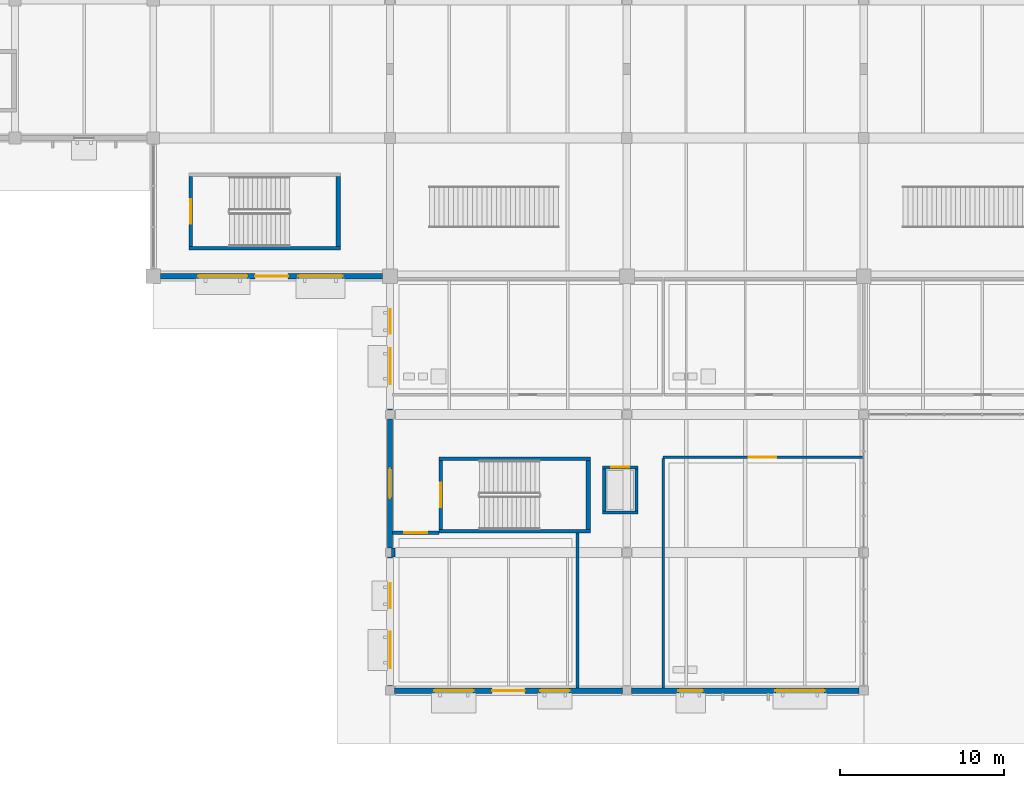
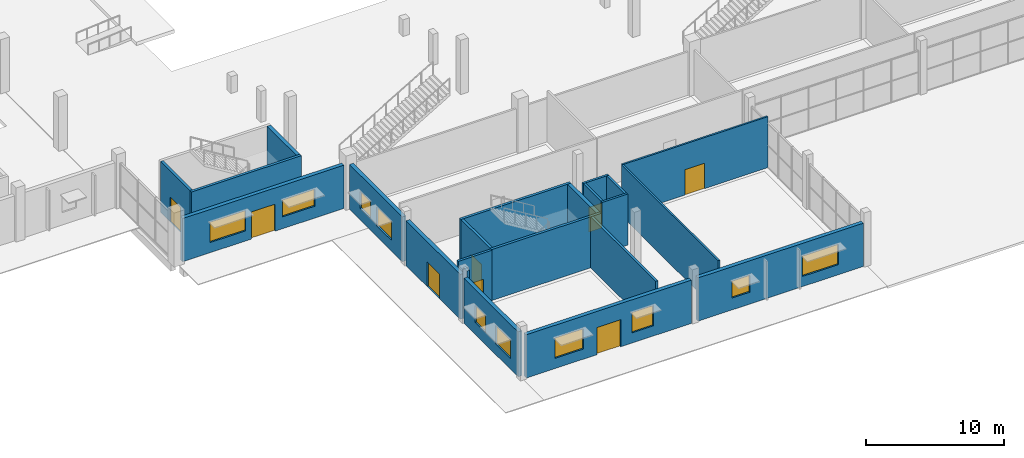
# One storey, part 90 of 130: 22 walls, 10 windows, 8 doors, 18 openings.
"""IFC4 building model written with IfcOpenShell, lengths in metres."""

import ifcopenshell
import ifcopenshell.guid

model = None  # the IFC model being written
_history = None  # IfcOwnerHistory: only IFC2X3 demands one
_inside = {}  # id of a spatial element -> (the spatial element, [elements in it])
_under = {}  # id of a project, library or spatial element -> (it, [spatial elements below it])
_declared = {}  # id of a project -> (the project, [libraries it declares])
_typed = {}  # id of a type object -> (the type object, [elements of that type])
_made_of = {}  # id of a material, layer set ... -> (it, [elements and type objects made of it])


def new_model(schema):
    """Start an empty IFC model of exactly this schema.

    Asked for "IFC4X3", IfcOpenShell would pick the latest addendum, in which some entities
    have other attributes; the version numbers below select the first issue.
    IFC2X3 requires an IfcOwnerHistory on every rooted entity: one is made here for all.
    """
    global model, _history
    if schema == "IFC4X3":
        model = ifcopenshell.file(schema_version=(4, 3, 0, 0))
    else:
        model = ifcopenshell.file(schema=schema)
    _inside.clear()
    _under.clear()
    _declared.clear()
    _typed.clear()
    _made_of.clear()
    _history = None
    if model.schema == "IFC2X3":
        org = make("IfcOrganization", Name="unknown")
        user = make(
            "IfcPersonAndOrganization",
            ThePerson=make("IfcPerson", FamilyName="unknown"),
            TheOrganization=org,
        )
        app = make(
            "IfcApplication",
            ApplicationDeveloper=org,
            Version="unknown",
            ApplicationFullName="unknown",
            ApplicationIdentifier="unknown",
        )
        _history = make(
            "IfcOwnerHistory",
            OwningUser=user,
            OwningApplication=app,
            ChangeAction="ADDED",
            CreationDate=0,
        )
    return model


def make(cls, **values):
    """One entity of the class cls with the attributes given. An attribute that is None is left unset."""
    return model.create_entity(
        cls, **{name: value for name, value in values.items() if value is not None}
    )


def rooted(cls, **values):
    """An entity with a GlobalId (a new one), such as an element, a storey or a relation."""
    return make(cls, GlobalId=ifcopenshell.guid.new(), OwnerHistory=_history, **values)


def si_unit(unit_type, name, prefix=None):
    """IfcSIUnit, for example si_unit("LENGTHUNIT", "METRE", prefix="MILLI")."""
    return make("IfcSIUnit", UnitType=unit_type, Prefix=prefix, Name=name)


def assignment(units):
    """IfcUnitAssignment: the units of a project."""
    return None if units is None else make("IfcUnitAssignment", Units=units)


def point(xyz):
    """IfcCartesianPoint."""
    return None if xyz is None else make("IfcCartesianPoint", Coordinates=xyz)


def direction(xyz):
    """IfcDirection."""
    return None if xyz is None else make("IfcDirection", DirectionRatios=xyz)


def frame(location, z_axis=None, x_axis=None):
    """IfcAxis2Placement3D, a coordinate frame: its origin and axes. An axis left out is left unset."""
    return make(
        "IfcAxis2Placement3D",
        Location=point(location),
        Axis=direction(z_axis),
        RefDirection=direction(x_axis),
    )


def frame_2d(location, x_axis=None):
    """IfcAxis2Placement2D, a coordinate frame in the plane: its origin and x axis."""
    return make(
        "IfcAxis2Placement2D", Location=point(location), RefDirection=direction(x_axis)
    )


def origin():
    """The frame at (0, 0, 0) with its axes left unset."""
    return frame((0.0, 0.0, 0.0))


def place(relative_to, where):
    """IfcLocalPlacement: puts the frame where relative to a parent placement (None: the world)."""
    return make(
        "IfcLocalPlacement", PlacementRelTo=relative_to, RelativePlacement=where
    )


def context(
    kind, dimensions, precision=None, world=None, true_north=None, identifier=None
):
    """IfcGeometricRepresentationContext, for example the 3D "Model" context."""
    return make(
        "IfcGeometricRepresentationContext",
        ContextIdentifier=identifier,
        ContextType=kind,
        CoordinateSpaceDimension=dimensions,
        Precision=precision,
        WorldCoordinateSystem=world,
        TrueNorth=true_north,
    )


def subcontext(parent, identifier, kind, view, scale=None):
    """IfcGeometricRepresentationSubContext, for example "Body" below "Model"."""
    return make(
        "IfcGeometricRepresentationSubContext",
        ContextIdentifier=identifier,
        ContextType=kind,
        ParentContext=parent,
        TargetScale=scale,
        TargetView=view,
    )


def project(units=None, contexts=None):
    """IfcProject with its units and contexts."""
    return rooted(
        "IfcProject",
        Name="project",
        RepresentationContexts=contexts,
        UnitsInContext=assignment(units),
    )


def spatial(cls, under=None, at=None, **own):
    """A site, building, storey or space (cls), placed at a placement, below another one or the project."""
    s = rooted(cls, ObjectPlacement=at, **own)
    if under is not None:
        _under.setdefault(under.id(), (under, []))[1].append(s)
    return s


def profile(cls, at=None, kind="AREA", **sizes):
    """A parametric profile (cls). Its sizes go by their IFC names, for example OverallWidth=200.0."""
    return make(cls, ProfileType=kind, Position=at, **sizes)


def rectangle(**sizes):
    """IfcRectangleProfileDef."""
    return profile("IfcRectangleProfileDef", **sizes)


def extrude(swept, where, along, depth):
    """IfcExtrudedAreaSolid: the profile swept, set in the frame where, extruded along a direction by depth."""
    return make(
        "IfcExtrudedAreaSolid",
        SweptArea=swept,
        Position=where,
        ExtrudedDirection=direction(along),
        Depth=depth,
    )


def shape(context_of_items, identifier, shape_type, items):
    """IfcShapeRepresentation: the items that make up one representation, for example the "Body"."""
    return make(
        "IfcShapeRepresentation",
        ContextOfItems=context_of_items,
        RepresentationIdentifier=identifier,
        RepresentationType=shape_type,
        Items=items,
    )


def material(Name=None, Category=None):
    """IfcMaterial."""
    return make("IfcMaterial", Name=Name, Category=Category)


def layer(
    of_material, thickness, ventilated=None, Name=None, Category=None, Priority=None
):
    """IfcMaterialLayer: one layer of a wall or slab, of a material (None: an air gap)."""
    return make(
        "IfcMaterialLayer",
        Material=of_material,
        LayerThickness=thickness,
        IsVentilated=ventilated,
        Name=Name,
        Category=Category,
        Priority=Priority,
    )


def layer_set(layers, Name=None):
    """IfcMaterialLayerSet."""
    return make("IfcMaterialLayerSet", MaterialLayers=layers, LayerSetName=Name)


def made_of(thing, what):
    """Note that an element or type object is made of a material, layer set ...; save() writes the relation."""
    if what is not None:
        _made_of.setdefault(what.id(), (what, []))[1].append(thing)
    return thing


def type_object(cls, material=None, **own):
    """A type object (cls), such as IfcWallType, which elements share."""
    return made_of(rooted(cls, **own), material)


def element(
    cls,
    number,
    at=None,
    inside=None,
    cuts=None,
    type_object=None,
    material=None,
    context=None,
    identifier="Body",
    shape_type=None,
    held_by="IfcProductDefinitionShape",
    body=None,
    shapes=None,
    **own,
):
    """One element of the class cls, such as IfcWall. Its Tag is "e" and its number.

    at: its placement. inside: the storey or other place that contains it. cuts: it is an
    opening in that element (IfcRelVoidsElement). A single representation is given by context,
    identifier, shape_type and body (its items); several are given by shapes. held_by: the class
    of the entity that holds the representations. save() writes the other relations.
    """
    e = rooted(cls, Tag="e%d" % number, ObjectPlacement=at, **own)
    if body is not None:
        shapes = [shape(context, identifier, shape_type, body)]
    if shapes is not None:
        e.Representation = make(held_by, Representations=shapes)
    if inside is not None:
        _inside.setdefault(inside.id(), (inside, []))[1].append(e)
    if cuts is not None:
        rooted(
            "IfcRelVoidsElement", RelatingBuildingElement=cuts, RelatedOpeningElement=e
        )
    if type_object is not None:
        _typed.setdefault(type_object.id(), (type_object, []))[1].append(e)
    return made_of(e, material)


def fill(opening, filler):
    """IfcRelFillsElement: the door or window that sits in an opening."""
    return rooted(
        "IfcRelFillsElement",
        RelatingOpeningElement=opening,
        RelatedBuildingElement=filler,
    )


def aggregate(whole, parts):
    """IfcRelAggregates: a whole, such as a stair, and the parts it consists of."""
    return rooted("IfcRelAggregates", RelatingObject=whole, RelatedObjects=parts)


def save(model, path):
    """Write the relations noted so far, then the file.

    IfcRelAggregates (storeys below a building ...), IfcRelContainedInSpatialStructure (elements
    in a storey), IfcRelDefinesByType, IfcRelAssociatesMaterial and IfcRelDeclares: one each for
    every whole, place, type object, material and project.
    """
    for whole, parts in _under.values():
        aggregate(whole, parts)
    for where, things in _inside.values():
        rooted(
            "IfcRelContainedInSpatialStructure",
            RelatedElements=things,
            RelatingStructure=where,
        )
    for kind, things in _typed.values():
        rooted("IfcRelDefinesByType", RelatedObjects=things, RelatingType=kind)
    for what, things in _made_of.values():
        rooted("IfcRelAssociatesMaterial", RelatedObjects=things, RelatingMaterial=what)
    for by, libraries in _declared.values():
        rooted("IfcRelDeclares", RelatingContext=by, RelatedDefinitions=libraries)
    model.write(path)


model = new_model("IFC4")

# Units and contexts
model_context = context("Model", 3, precision=1e-05, world=origin(), true_north=direction((0.0, 1.0)))
body_context = subcontext(model_context, "Body", "Model", "MODEL_VIEW")
ifc_project = project(units=[si_unit("LENGTHUNIT", "METRE"), si_unit("AREAUNIT", "SQUARE_METRE"), si_unit("VOLUMEUNIT", "CUBIC_METRE"), si_unit("PLANEANGLEUNIT", "RADIAN"), si_unit("MASSUNIT", "GRAM", prefix="KILO"), si_unit("THERMODYNAMICTEMPERATUREUNIT", "KELVIN")], contexts=[model_context])

# Site, building, storey
site_placement = place(None, origin())
site = spatial("IfcSite", under=ifc_project, at=site_placement, CompositionType="ELEMENT")
building_placement = place(site_placement, origin())
building = spatial("IfcBuilding", under=site, at=building_placement, Name="Nduvali Passage Aquatics Centre", CompositionType="ELEMENT")
storey_placement = place(building_placement, origin())
storey = spatial("IfcBuildingStorey", under=building, at=storey_placement, Name="L00", CompositionType="ELEMENT", Elevation=0.0)

# Wall, openings, door, windows
ifc_material_1 = material(Name="Coral-stone masonry blockwork", Category="masonry")
ifc_layer_1 = layer(ifc_material_1, 0.320068359375, Name="Coral-stone masonry blockwork")
ifc_layer_set_1 = layer_set([ifc_layer_1], Name="Coral-stone masonry blockwork")
wall_type_1 = type_object("IfcWallType", Name="ENV-WAL-CORAL320", PredefinedType="STANDARD", material=ifc_layer_set_1)
wall_1_placement = place(storey_placement, frame((39.875, 0.0, 0.0), z_axis=(0.0, 0.0, 1.0), x_axis=(1.0, 0.0, 0.0)))
wall_1 = element("IfcWall", 1, at=wall_1_placement, inside=storey, type_object=wall_type_1, Name="L00 South Coral Facade 0001", PredefinedType="STANDARD", context=body_context, shape_type="SweptSolid", body=[
    extrude(rectangle(XDim=13.85009765625, YDim=0.320068359375, at=frame_2d((6.925048828125, 0.0))), origin(), (0.0, 0.0, 1.0), 3.83251953125),
])
opening_1_placement = place(wall_1_placement, frame((5.925048828125, 0.0, 0.0)))
opening_1 = element("IfcOpeningElement", 2, at=opening_1_placement, cuts=wall_1, Name="Opening ED2", PredefinedType="OPENING", context=body_context, shape_type="SweptSolid", body=[
    extrude(rectangle(XDim=2.0, YDim=2.39990234375, at=frame_2d((1.0, 1.199951171875))), frame((0.0, 0.1748046875, 0.0), z_axis=(0.0, -1.0, 0.0), x_axis=(1.0, 0.0, 0.0)), (0.0, 0.0, 1.0), 0.349853515625),
])
opening_2_placement = place(wall_1_placement, frame((2.40087890625, 0.0, 0.89990234375)))
opening_2 = element("IfcOpeningElement", 3, at=opening_2_placement, cuts=wall_1, Name="Opening W1", PredefinedType="OPENING", context=body_context, shape_type="SweptSolid", body=[
    extrude(rectangle(XDim=2.39990234375, YDim=1.800048828125, at=frame_2d((1.199951171875, 0.89990234375))), frame((0.0, 0.1748046875, 0.0), z_axis=(0.0, -1.0, 0.0), x_axis=(1.0, 0.0, 0.0)), (0.0, 0.0, 1.0), 0.349853515625),
])
opening_3_placement = place(wall_1_placement, frame((8.84912109375, 0.0, 0.89990234375)))
opening_3 = element("IfcOpeningElement", 4, at=opening_3_placement, cuts=wall_1, Name="Opening W2", PredefinedType="OPENING", context=body_context, shape_type="SweptSolid", body=[
    extrude(rectangle(XDim=1.800048828125, YDim=1.800048828125, at=frame_2d((0.89990234375, 0.89990234375))), frame((0.0, 0.1748046875, 0.0), z_axis=(0.0, -1.0, 0.0), x_axis=(1.0, 0.0, 0.0)), (0.0, 0.0, 1.0), 0.349853515625),
])
ifc_material_2 = material(Name="Aluminium-framed glazed door", Category="aluminium")
door_type_1 = type_object("IfcDoorType", Name="ENV-DR-EX200", OperationType="DOUBLE_DOOR_SINGLE_SWING", PredefinedType="DOOR", material=ifc_material_2)
door_1_placement = place(opening_1_placement, frame((2.0, 0.0, 0.0), z_axis=(0.0, 0.0, 1.0), x_axis=(-1.0, 0.0, 0.0)))
door_1 = element("IfcDoor", 5, at=door_1_placement, inside=storey, type_object=door_type_1, Name="L00 Exterior Exit Door ED2-001", OperationType="DOUBLE_DOOR_SINGLE_SWING", OverallHeight=2.39990234375, OverallWidth=2.0, PredefinedType="DOOR", context=body_context, shape_type="SweptSolid", body=[
    extrude(rectangle(XDim=2.0, YDim=2.39990234375, at=frame_2d((1.0, 1.199951171875))), frame((0.0, 0.02490234375, 0.0), z_axis=(0.0, -1.0, 0.0), x_axis=(1.0, 0.0, 0.0)), (0.0, 0.0, 1.0), 0.050048828125),
])
fill(opening_1, door_1)
ifc_material_3 = material(Name="Aluminium-framed solar-control low-E IGU", Category="aluminium")
window_type_1 = type_object("IfcWindowType", Name="ENV-WIN-W1", PartitioningType="SINGLE_PANEL", PredefinedType="WINDOW", material=ifc_material_3)
window_1_placement = place(opening_2_placement, origin())
window_1 = element("IfcWindow", 6, at=window_1_placement, inside=storey, type_object=window_type_1, Name="L00 Exterior Window W1-0001", OverallHeight=1.800048828125, OverallWidth=2.39990234375, PartitioningType="SINGLE_PANEL", PredefinedType="WINDOW", context=body_context, shape_type="SweptSolid", body=[
    extrude(rectangle(XDim=2.39990234375, YDim=1.800048828125, at=frame_2d((1.199951171875, 0.89990234375))), frame((0.0, 0.030029296875, 0.0), z_axis=(0.0, -1.0, 0.0), x_axis=(1.0, 0.0, 0.0)), (0.0, 0.0, 1.0), 0.06005859375),
])
fill(opening_2, window_1)
window_type_2 = type_object("IfcWindowType", Name="ENV-WIN-W2", PartitioningType="SINGLE_PANEL", PredefinedType="WINDOW", material=ifc_material_3)
window_2_placement = place(opening_3_placement, origin())
window_2 = element("IfcWindow", 7, at=window_2_placement, inside=storey, type_object=window_type_2, Name="L00 Exterior Window W2-0002", OverallHeight=1.800048828125, OverallWidth=1.800048828125, PartitioningType="SINGLE_PANEL", PredefinedType="WINDOW", context=body_context, shape_type="SweptSolid", body=[
    extrude(rectangle(XDim=1.800048828125, YDim=1.800048828125, at=frame_2d((0.89990234375, 0.89990234375))), frame((0.0, 0.030029296875, 0.0), z_axis=(0.0, -1.0, 0.0), x_axis=(1.0, 0.0, 0.0)), (0.0, 0.0, 1.0), 0.06005859375),
])
fill(opening_3, window_2)

# Wall, openings, windows
wall_2_placement = place(storey_placement, frame((54.27490234375, 0.0, 0.0), z_axis=(0.0, 0.0, 1.0), x_axis=(1.0, 0.0, 0.0)))
wall_2 = element("IfcWall", 8, at=wall_2_placement, inside=storey, type_object=wall_type_1, Name="L00 South Coral Facade 0002", PredefinedType="STANDARD", context=body_context, shape_type="SweptSolid", body=[
    extrude(rectangle(XDim=13.85009765625, YDim=0.320068359375, at=frame_2d((6.925048828125, 0.0))), origin(), (0.0, 0.0, 1.0), 3.83251953125),
])
opening_4_placement = place(wall_2_placement, frame((2.85107421875, 0.0, 1.050048828125)))
opening_4 = element("IfcOpeningElement", 9, at=opening_4_placement, cuts=wall_2, Name="Opening W3", PredefinedType="OPENING", context=body_context, shape_type="SweptSolid", body=[
    extrude(rectangle(XDim=1.5, YDim=1.5, at=frame_2d((0.75, 0.75))), frame((0.0, 0.1748046875, 0.0), z_axis=(0.0, -1.0, 0.0), x_axis=(1.0, 0.0, 0.0)), (0.0, 0.0, 1.0), 0.349853515625),
])
opening_5_placement = place(wall_2_placement, frame((8.7490234375, 0.0, 0.89990234375)))
opening_5 = element("IfcOpeningElement", 10, at=opening_5_placement, cuts=wall_2, Name="Opening W4", PredefinedType="OPENING", context=body_context, shape_type="SweptSolid", body=[
    extrude(rectangle(XDim=3.0, YDim=1.800048828125, at=frame_2d((1.5, 0.89990234375))), frame((0.0, 0.1748046875, 0.0), z_axis=(0.0, -1.0, 0.0), x_axis=(1.0, 0.0, 0.0)), (0.0, 0.0, 1.0), 0.349853515625),
])
window_type_3 = type_object("IfcWindowType", Name="ENV-WIN-W3", PartitioningType="SINGLE_PANEL", PredefinedType="WINDOW", material=ifc_material_3)
window_3_placement = place(opening_4_placement, origin())
window_3 = element("IfcWindow", 11, at=window_3_placement, inside=storey, type_object=window_type_3, Name="L00 Exterior Window W3-0003", OverallHeight=1.5, OverallWidth=1.5, PartitioningType="SINGLE_PANEL", PredefinedType="WINDOW", context=body_context, shape_type="SweptSolid", body=[
    extrude(rectangle(XDim=1.5, YDim=1.5, at=frame_2d((0.75, 0.75))), frame((0.0, 0.030029296875, 0.0), z_axis=(0.0, -1.0, 0.0), x_axis=(1.0, 0.0, 0.0)), (0.0, 0.0, 1.0), 0.06005859375),
])
fill(opening_4, window_3)
window_type_4 = type_object("IfcWindowType", Name="ENV-WIN-W4", PartitioningType="SINGLE_PANEL", PredefinedType="WINDOW", material=ifc_material_3)
window_4_placement = place(opening_5_placement, origin())
window_4 = element("IfcWindow", 12, at=window_4_placement, inside=storey, type_object=window_type_4, Name="L00 Exterior Window W4-0004", OverallHeight=1.800048828125, OverallWidth=3.0, PartitioningType="SINGLE_PANEL", PredefinedType="WINDOW", context=body_context, shape_type="SweptSolid", body=[
    extrude(rectangle(XDim=3.0, YDim=1.800048828125, at=frame_2d((1.5, 0.89990234375))), frame((0.0, 0.030029296875, 0.0), z_axis=(0.0, -1.0, 0.0), x_axis=(1.0, 0.0, 0.0)), (0.0, 0.0, 1.0), 0.06005859375),
])
fill(opening_5, window_4)

wall_3_placement = place(storey_placement, frame((39.60009765625, 8.125, 0.0), z_axis=(0.0, 0.0, 1.0), x_axis=(0.0, -1.0, 0.0)))
wall_3 = element("IfcWall", 13, at=wall_3_placement, inside=storey, type_object=wall_type_1, Name="L00 External Coral-Stone Wall 0005", PredefinedType="STANDARD", context=body_context, shape_type="SweptSolid", body=[
    extrude(rectangle(XDim=7.85009765625, YDim=0.320068359375, at=frame_2d((3.925048828125, 0.0))), origin(), (0.0, 0.0, 1.0), 3.976318359375),
])
opening_6_placement = place(wall_3_placement, frame((1.60498046875, 0.0, 1.050048828125)))
opening_6 = element("IfcOpeningElement", 14, at=opening_6_placement, cuts=wall_3, Name="Opening W3", PredefinedType="OPENING", context=body_context, shape_type="SweptSolid", body=[
    extrude(rectangle(XDim=1.5, YDim=1.5, at=frame_2d((0.75, 0.75))), frame((0.0, 0.1748046875, 0.0), z_axis=(0.0, -1.0, 0.0), x_axis=(1.0, 0.0, 0.0)), (0.0, 0.0, 1.0), 0.349853515625),
])
opening_7_placement = place(wall_3_placement, frame((4.552001953125, 0.0, 0.949951171875)))
opening_7 = element("IfcOpeningElement", 15, at=opening_7_placement, cuts=wall_3, Name="Opening W15", PredefinedType="OPENING", context=body_context, shape_type="SweptSolid", body=[
    extrude(rectangle(XDim=2.199951171875, YDim=1.64990234375, at=frame_2d((1.10009765625, 0.824951171875))), frame((0.0, 0.1748046875, 0.0), z_axis=(0.0, -1.0, 0.0), x_axis=(1.0, 0.0, 0.0)), (0.0, 0.0, 1.0), 0.349853515625),
])
window_type_5 = type_object("IfcWindowType", Name="ENV-WIN-W15", PartitioningType="SINGLE_PANEL", PredefinedType="WINDOW", material=ifc_material_3)
window_5_placement = place(opening_7_placement, origin())
window_5 = element("IfcWindow", 16, at=window_5_placement, inside=storey, type_object=window_type_5, Name="L00 Exterior Window W15-0010", OverallHeight=1.64990234375, OverallWidth=2.199951171875, PartitioningType="SINGLE_PANEL", PredefinedType="WINDOW", context=body_context, shape_type="SweptSolid", body=[
    extrude(rectangle(XDim=2.199951171875, YDim=1.64990234375, at=frame_2d((1.10009765625, 0.824951171875))), frame((0.0, 0.030029296875, 0.0), z_axis=(0.0, -1.0, 0.0), x_axis=(1.0, 0.0, 0.0)), (0.0, 0.0, 1.0), 0.06005859375),
])
fill(opening_7, window_5)
window_6_placement = place(opening_6_placement, origin())
window_6 = element("IfcWindow", 17, at=window_6_placement, inside=storey, type_object=window_type_3, Name="L00 Exterior Window W3-0009", OverallHeight=1.5, OverallWidth=1.5, PartitioningType="SINGLE_PANEL", PredefinedType="WINDOW", context=body_context, shape_type="SweptSolid", body=[
    extrude(rectangle(XDim=1.5, YDim=1.5, at=frame_2d((0.75, 0.75))), frame((0.0, 0.030029296875, 0.0), z_axis=(0.0, -1.0, 0.0), x_axis=(1.0, 0.0, 0.0)), (0.0, 0.0, 1.0), 0.06005859375),
])
fill(opening_6, window_6)

# Wall, opening, door
wall_4_placement = place(storey_placement, frame((39.60009765625, 16.52490234375, 0.0), z_axis=(0.0, 0.0, 1.0), x_axis=(0.0, -1.0, 0.0)))
wall_4 = element("IfcWall", 18, at=wall_4_placement, inside=storey, type_object=wall_type_1, Name="L00 External Coral-Stone Wall 0007", PredefinedType="STANDARD", context=body_context, shape_type="SweptSolid", body=[
    extrude(rectangle(XDim=7.849853515625, YDim=0.320068359375, at=frame_2d((3.9248046875, 0.0))), origin(), (0.0, 0.0, 1.0), 3.976318359375),
])
opening_8_placement = place(wall_4_placement, frame((3.02490234375, 0.0, 0.0)))
opening_8 = element("IfcOpeningElement", 19, at=opening_8_placement, cuts=wall_4, Name="Opening ED3", PredefinedType="OPENING", context=body_context, shape_type="SweptSolid", body=[
    extrude(rectangle(XDim=1.800048828125, YDim=2.199951171875, at=frame_2d((0.89990234375, 1.10009765625))), frame((0.0, 0.1748046875, 0.0), z_axis=(0.0, -1.0, 0.0), x_axis=(1.0, 0.0, 0.0)), (0.0, 0.0, 1.0), 0.349853515625),
])
ifc_material_4 = material(Name="Galvanised steel door", Category="steel")
door_type_2 = type_object("IfcDoorType", Name="ENV-DR-EX180", OperationType="DOUBLE_DOOR_SINGLE_SWING", PredefinedType="DOOR", material=ifc_material_4)
door_2_placement = place(opening_8_placement, frame((1.800048828125, 0.0, 0.0), z_axis=(0.0, 0.0, 1.0), x_axis=(-1.0, 0.0, 0.0)))
door_2 = element("IfcDoor", 20, at=door_2_placement, inside=storey, type_object=door_type_2, Name="L00 Exterior Exit Door ED3-003", OperationType="DOUBLE_DOOR_SINGLE_SWING", OverallHeight=2.199951171875, OverallWidth=1.800048828125, PredefinedType="DOOR", context=body_context, shape_type="SweptSolid", body=[
    extrude(rectangle(XDim=1.800048828125, YDim=2.199951171875, at=frame_2d((0.89990234375, 1.10009765625))), frame((0.0, 0.02490234375, 0.0), z_axis=(0.0, -1.0, 0.0), x_axis=(1.0, 0.0, 0.0)), (0.0, 0.0, 1.0), 0.050048828125),
])
fill(opening_8, door_2)

# Wall, openings, windows
wall_5_placement = place(storey_placement, frame((39.60009765625, 24.75, 0.0), z_axis=(0.0, 0.0, 1.0), x_axis=(0.0, -1.0, 0.0)))
wall_5 = element("IfcWall", 21, at=wall_5_placement, inside=storey, type_object=wall_type_1, Name="L00 External Coral-Stone Wall 0009", PredefinedType="STANDARD", context=body_context, shape_type="SweptSolid", body=[
    extrude(rectangle(XDim=7.675048828125, YDim=0.320068359375, at=frame_2d((3.83740234375, 0.0))), origin(), (0.0, 0.0, 1.0), 3.976318359375),
])
opening_9_placement = place(wall_5_placement, frame((1.552978515625, 0.0, 1.050048828125)))
opening_9 = element("IfcOpeningElement", 22, at=opening_9_placement, cuts=wall_5, Name="Opening W3", PredefinedType="OPENING", context=body_context, shape_type="SweptSolid", body=[
    extrude(rectangle(XDim=1.5, YDim=1.5, at=frame_2d((0.75, 0.75))), frame((0.0, 0.1748046875, 0.0), z_axis=(0.0, -1.0, 0.0), x_axis=(1.0, 0.0, 0.0)), (0.0, 0.0, 1.0), 0.349853515625),
])
opening_10_placement = place(wall_5_placement, frame((3.926025390625, 0.0, 0.949951171875)))
opening_10 = element("IfcOpeningElement", 23, at=opening_10_placement, cuts=wall_5, Name="Opening W15", PredefinedType="OPENING", context=body_context, shape_type="SweptSolid", body=[
    extrude(rectangle(XDim=2.199951171875, YDim=1.64990234375, at=frame_2d((1.10009765625, 0.824951171875))), frame((0.0, 0.1748046875, 0.0), z_axis=(0.0, -1.0, 0.0), x_axis=(1.0, 0.0, 0.0)), (0.0, 0.0, 1.0), 0.349853515625),
])
window_7_placement = place(opening_10_placement, origin())
window_7 = element("IfcWindow", 24, at=window_7_placement, inside=storey, type_object=window_type_5, Name="L00 Exterior Window W15-0015", OverallHeight=1.64990234375, OverallWidth=2.199951171875, PartitioningType="SINGLE_PANEL", PredefinedType="WINDOW", context=body_context, shape_type="SweptSolid", body=[
    extrude(rectangle(XDim=2.199951171875, YDim=1.64990234375, at=frame_2d((1.10009765625, 0.824951171875))), frame((0.0, 0.030029296875, 0.0), z_axis=(0.0, -1.0, 0.0), x_axis=(1.0, 0.0, 0.0)), (0.0, 0.0, 1.0), 0.06005859375),
])
fill(opening_10, window_7)
window_8_placement = place(opening_9_placement, origin())
window_8 = element("IfcWindow", 25, at=window_8_placement, inside=storey, type_object=window_type_3, Name="L00 Exterior Window W3-0014", OverallHeight=1.5, OverallWidth=1.5, PartitioningType="SINGLE_PANEL", PredefinedType="WINDOW", context=body_context, shape_type="SweptSolid", body=[
    extrude(rectangle(XDim=1.5, YDim=1.5, at=frame_2d((0.75, 0.75))), frame((0.0, 0.030029296875, 0.0), z_axis=(0.0, -1.0, 0.0), x_axis=(1.0, 0.0, 0.0)), (0.0, 0.0, 1.0), 0.06005859375),
])
fill(opening_9, window_8)

# Wall, openings, door, windows
wall_6_placement = place(storey_placement, frame((25.64990234375, 25.199951171875, 0.0), z_axis=(0.0, 0.0, 1.0), x_axis=(1.0, 0.0, 0.0)))
wall_6 = element("IfcWall", 26, at=wall_6_placement, inside=storey, type_object=wall_type_1, Name="L00 External Coral-Stone Wall 0045", PredefinedType="STANDARD", context=body_context, shape_type="SweptSolid", body=[
    extrude(rectangle(XDim=13.5, YDim=0.320068359375, at=frame_2d((6.75, 0.0))), origin(), (0.0, 0.0, 1.0), 3.83251953125),
])
opening_11_placement = place(wall_6_placement, frame((5.75, 0.0, 0.0)))
opening_11 = element("IfcOpeningElement", 27, at=opening_11_placement, cuts=wall_6, Name="Opening ED2", PredefinedType="OPENING", context=body_context, shape_type="SweptSolid", body=[
    extrude(rectangle(XDim=2.0, YDim=2.39990234375, at=frame_2d((1.0, 1.199951171875))), frame((0.0, 0.1748046875, 0.0), z_axis=(0.0, -1.0, 0.0), x_axis=(1.0, 0.0, 0.0)), (0.0, 0.0, 1.0), 0.349853515625),
])
opening_12_placement = place(wall_6_placement, frame((2.280029296875, 0.0, 0.89990234375)))
opening_12 = element("IfcOpeningElement", 28, at=opening_12_placement, cuts=wall_6, Name="Opening W4", PredefinedType="OPENING", context=body_context, shape_type="SweptSolid", body=[
    extrude(rectangle(XDim=3.0, YDim=1.800048828125, at=frame_2d((1.5, 0.89990234375))), frame((0.0, 0.1748046875, 0.0), z_axis=(0.0, -1.0, 0.0), x_axis=(1.0, 0.0, 0.0)), (0.0, 0.0, 1.0), 0.349853515625),
])
opening_13_placement = place(wall_6_placement, frame((8.3701171875, 0.0, 1.050048828125)))
opening_13 = element("IfcOpeningElement", 29, at=opening_13_placement, cuts=wall_6, Name="Opening W7", PredefinedType="OPENING", context=body_context, shape_type="SweptSolid", body=[
    extrude(rectangle(XDim=2.699951171875, YDim=1.5, at=frame_2d((1.35009765625, 0.75))), frame((0.0, 0.1748046875, 0.0), z_axis=(0.0, -1.0, 0.0), x_axis=(1.0, 0.0, 0.0)), (0.0, 0.0, 1.0), 0.349853515625),
])
door_3_placement = place(opening_11_placement, frame((2.0, 0.0, 0.0), z_axis=(0.0, 0.0, 1.0), x_axis=(-1.0, 0.0, 0.0)))
door_3 = element("IfcDoor", 30, at=door_3_placement, inside=storey, type_object=door_type_1, Name="L00 Exterior Exit Door ED2-008", OperationType="DOUBLE_DOOR_SINGLE_SWING", OverallHeight=2.39990234375, OverallWidth=2.0, PredefinedType="DOOR", context=body_context, shape_type="SweptSolid", body=[
    extrude(rectangle(XDim=2.0, YDim=2.39990234375, at=frame_2d((1.0, 1.199951171875))), frame((0.0, 0.02490234375, 0.0), z_axis=(0.0, -1.0, 0.0), x_axis=(1.0, 0.0, 0.0)), (0.0, 0.0, 1.0), 0.050048828125),
])
fill(opening_11, door_3)
window_9_placement = place(opening_12_placement, origin())
window_9 = element("IfcWindow", 31, at=window_9_placement, inside=storey, type_object=window_type_4, Name="L00 Exterior Window W4-0050", OverallHeight=1.800048828125, OverallWidth=3.0, PartitioningType="SINGLE_PANEL", PredefinedType="WINDOW", context=body_context, shape_type="SweptSolid", body=[
    extrude(rectangle(XDim=3.0, YDim=1.800048828125, at=frame_2d((1.5, 0.89990234375))), frame((0.0, 0.030029296875, 0.0), z_axis=(0.0, -1.0, 0.0), x_axis=(1.0, 0.0, 0.0)), (0.0, 0.0, 1.0), 0.06005859375),
])
fill(opening_12, window_9)
window_type_6 = type_object("IfcWindowType", Name="ENV-WIN-W7", PartitioningType="SINGLE_PANEL", PredefinedType="WINDOW", material=ifc_material_3)
window_10_placement = place(opening_13_placement, origin())
window_10 = element("IfcWindow", 32, at=window_10_placement, inside=storey, type_object=window_type_6, Name="L00 Exterior Window W7-0051", OverallHeight=1.5, OverallWidth=2.699951171875, PartitioningType="SINGLE_PANEL", PredefinedType="WINDOW", context=body_context, shape_type="SweptSolid", body=[
    extrude(rectangle(XDim=2.699951171875, YDim=1.5, at=frame_2d((1.35009765625, 0.75))), frame((0.0, 0.030029296875, 0.0), z_axis=(0.0, -1.0, 0.0), x_axis=(1.0, 0.0, 0.0)), (0.0, 0.0, 1.0), 0.06005859375),
])
fill(opening_13, window_10)

# Wall, opening, door
ifc_layer_2 = layer(ifc_material_1, 0.199951171875, Name="Coral-stone masonry blockwork")
ifc_layer_set_2 = layer_set([ifc_layer_2], Name="Coral-stone masonry blockwork")
wall_type_2 = type_object("IfcWallType", Name="INT-WAL-COMP200", PredefinedType="PARTITIONING", material=ifc_layer_set_2)
wall_7_placement = place(storey_placement, frame((39.760009765625, 9.60009765625, 0.0), z_axis=(0.0, 0.0, 1.0), x_axis=(1.0, 0.0, 0.0)))
wall_7 = element("IfcWall", 33, at=wall_7_placement, inside=storey, type_object=wall_type_2, Name="L00 Competition Lane-Rope and Starting Block Store Partition 0066", PredefinedType="PARTITIONING", context=body_context, shape_type="SweptSolid", body=[
    extrude(rectangle(XDim=2.820068359375, YDim=0.199951171875, at=frame_2d((1.41015625, 0.0))), origin(), (0.0, 0.0, 1.0), 4.52001953125),
])
opening_14_placement = place(wall_7_placement, frame((0.7099609375, 0.0, 0.0)))
opening_14 = element("IfcOpeningElement", 34, at=opening_14_placement, cuts=wall_7, Name="Opening FD-P1", PredefinedType="OPENING", context=body_context, shape_type="SweptSolid", body=[
    extrude(rectangle(XDim=1.39990234375, YDim=2.199951171875, at=frame_2d((0.699951171875, 1.10009765625))), frame((0.0, 0.11474609375, 0.0), z_axis=(0.0, -1.0, 0.0), x_axis=(1.0, 0.0, 0.0)), (0.0, 0.0, 1.0), 0.229736328125),
])
door_type_3 = type_object("IfcDoorType", Name="INT-DR-PLNT140", OperationType="DOUBLE_DOOR_SINGLE_SWING", PredefinedType="DOOR", material=ifc_material_4)
door_4_placement = place(opening_14_placement, frame((1.39990234375, 0.0, 0.0), z_axis=(0.0, 0.0, 1.0), x_axis=(-1.0, 0.0, 0.0)))
door_4 = element("IfcDoor", 35, at=door_4_placement, inside=storey, type_object=door_type_3, Name="L00 Competition Lane-Rope and Starting Block Store Door 0023", OperationType="DOUBLE_DOOR_SINGLE_SWING", OverallHeight=2.199951171875, OverallWidth=1.39990234375, PredefinedType="DOOR", context=body_context, shape_type="SweptSolid", body=[
    extrude(rectangle(XDim=1.39990234375, YDim=2.199951171875, at=frame_2d((0.699951171875, 1.10009765625))), frame((0.0, 0.02490234375, 0.0), z_axis=(0.0, -1.0, 0.0), x_axis=(1.0, 0.0, 0.0)), (0.0, 0.0, 1.0), 0.050048828125),
])
fill(opening_14, door_4)

# Walls
wall_8_placement = place(storey_placement, frame((39.800048828125, 8.125, 0.0), z_axis=(0.0, 0.0, 1.0), x_axis=(0.0, 1.0, 0.0)))
element("IfcWall", 36, at=wall_8_placement, inside=storey, type_object=wall_type_2, Name="L00 Competition Lane-Rope and Starting Block Store Partition 0067", PredefinedType="PARTITIONING", context=body_context, shape_type="SweptSolid", body=[
    extrude(rectangle(XDim=0.550048828125, YDim=0.199951171875, at=frame_2d((0.27490234375, 0.0))), origin(), (0.0, 0.0, 1.0), 4.52001953125),
])
wall_9_placement = place(storey_placement, frame((51.0, 0.159912109375, 0.0), z_axis=(0.0, 0.0, 1.0), x_axis=(0.0, 1.0, 0.0)))
element("IfcWall", 37, at=wall_9_placement, inside=storey, type_object=wall_type_2, Name="L00 Competition Lane-Rope and Starting Block Store Partition 0068", PredefinedType="PARTITIONING", context=body_context, shape_type="SweptSolid", body=[
    extrude(rectangle(XDim=9.420166015625, YDim=0.199951171875, at=frame_2d((4.7099609375, 0.0))), origin(), (0.0, 0.0, 1.0), 4.52001953125),
])
ifc_material_5 = material(Name="Concrete C40/50", Category="concrete")
ifc_layer_3 = layer(ifc_material_5, 0.219970703125, Name="Concrete C40/50")
ifc_layer_set_3 = layer_set([ifc_layer_3], Name="Concrete C40/50")
wall_type_3 = type_object("IfcWallType", Name="INT-WAL-CORE220", PredefinedType="SOLIDWALL", material=ifc_layer_set_3)
for number, where, z_axis, x_axis, name in (
    (38, (42.580078125, 9.68994140625, 0.0), (0.0, 0.0, 1.0), (1.0, 0.0, 0.0), "L00 Stair ST5 Core Wall S"),
    (39, (51.800048828125, 14.10009765625, 0.0), (0.0, 0.0, 1.0), (-1.0, 0.0, 0.0), "L00 Stair ST5 Core Wall N"),
):
    element("IfcWall", number, at=place(storey_placement, frame(where, z_axis=z_axis, x_axis=x_axis)), inside=storey, type_object=wall_type_3, Name=name, PredefinedType="SOLIDWALL", context=body_context, shape_type="SweptSolid", body=[
        extrude(rectangle(XDim=9.219970703125, YDim=0.219970703125, at=frame_2d((4.60986328125, 0.0))), origin(), (0.0, 0.0, 1.0), 4.52001953125),
    ])

# Wall, opening, door
wall_10_placement = place(storey_placement, frame((42.68994140625, 13.989990234375, 0.0), z_axis=(0.0, 0.0, 1.0), x_axis=(0.0, -1.0, 0.0)))
wall_10 = element("IfcWall", 40, at=wall_10_placement, inside=storey, type_object=wall_type_3, Name="L00 Stair ST5 Core Wall W", PredefinedType="SOLIDWALL", context=body_context, shape_type="SweptSolid", body=[
    extrude(rectangle(XDim=4.18994140625, YDim=0.219970703125, at=frame_2d((2.094970703125, 0.0))), origin(), (0.0, 0.0, 1.0), 4.52001953125),
])
opening_15_placement = place(wall_10_placement, frame((1.344970703125, 0.0, 0.0)))
opening_15 = element("IfcOpeningElement", 41, at=opening_15_placement, cuts=wall_10, Name="Opening FD-ST1", PredefinedType="OPENING", context=body_context, shape_type="SweptSolid", body=[
    extrude(rectangle(XDim=1.5, YDim=2.199951171875, at=frame_2d((0.75, 1.10009765625))), frame((0.0, 0.125, 0.0), z_axis=(0.0, -1.0, 0.0), x_axis=(1.0, 0.0, 0.0)), (0.0, 0.0, 1.0), 0.249755859375),
])
door_type_4 = type_object("IfcDoorType", Name="INT-DR-ST150", OperationType="DOUBLE_DOOR_SINGLE_SWING", PredefinedType="DOOR", material=ifc_material_4)
door_5_placement = place(opening_15_placement, origin())
door_5 = element("IfcDoor", 42, at=door_5_placement, inside=storey, type_object=door_type_4, Name="L00 Stair ST5 Fire Lobby Door", OperationType="DOUBLE_DOOR_SINGLE_SWING", OverallHeight=2.199951171875, OverallWidth=1.5, PredefinedType="DOOR", context=body_context, shape_type="SweptSolid", body=[
    extrude(rectangle(XDim=1.5, YDim=2.199951171875, at=frame_2d((0.75, 1.10009765625))), frame((0.0, 0.02490234375, 0.0), z_axis=(0.0, -1.0, 0.0), x_axis=(1.0, 0.0, 0.0)), (0.0, 0.0, 1.0), 0.050048828125),
])
fill(opening_15, door_5)

# Wall
wall_11_placement = place(storey_placement, frame((27.3798828125, 26.889892578125, 0.0), z_axis=(0.0, 0.0, 1.0), x_axis=(1.0, 0.0, 0.0)))
element("IfcWall", 43, at=wall_11_placement, inside=storey, type_object=wall_type_3, Name="L00 Stair ST13 Core Wall S", PredefinedType="SOLIDWALL", context=body_context, shape_type="SweptSolid", body=[
    extrude(rectangle(XDim=9.22021484375, YDim=0.219970703125, at=frame_2d((4.610107421875, 0.0))), origin(), (0.0, 0.0, 1.0), 4.52001953125),
])

# Wall, opening, door
wall_12_placement = place(storey_placement, frame((27.489990234375, 31.25, 0.0), z_axis=(0.0, 0.0, 1.0), x_axis=(0.0, -1.0, 0.0)))
wall_12 = element("IfcWall", 44, at=wall_12_placement, inside=storey, type_object=wall_type_3, Name="L00 Stair ST13 Core Wall W", PredefinedType="SOLIDWALL", context=body_context, shape_type="SweptSolid", body=[
    extrude(rectangle(XDim=4.25, YDim=0.219970703125, at=frame_2d((2.125, 0.0))), origin(), (0.0, 0.0, 1.0), 4.52001953125),
])
opening_16_placement = place(wall_12_placement, frame((1.375, 0.0, 0.0)))
opening_16 = element("IfcOpeningElement", 45, at=opening_16_placement, cuts=wall_12, Name="Opening FD-ST1", PredefinedType="OPENING", context=body_context, shape_type="SweptSolid", body=[
    extrude(rectangle(XDim=1.5, YDim=2.199951171875, at=frame_2d((0.75, 1.10009765625))), frame((0.0, 0.125, 0.0), z_axis=(0.0, -1.0, 0.0), x_axis=(1.0, 0.0, 0.0)), (0.0, 0.0, 1.0), 0.249755859375),
])
door_6_placement = place(opening_16_placement, origin())
door_6 = element("IfcDoor", 46, at=door_6_placement, inside=storey, type_object=door_type_4, Name="L00 Stair ST13 Fire Lobby Door", OperationType="DOUBLE_DOOR_SINGLE_SWING", OverallHeight=2.199951171875, OverallWidth=1.5, PredefinedType="DOOR", context=body_context, shape_type="SweptSolid", body=[
    extrude(rectangle(XDim=1.5, YDim=2.199951171875, at=frame_2d((0.75, 1.10009765625))), frame((0.0, 0.02490234375, 0.0), z_axis=(0.0, -1.0, 0.0), x_axis=(1.0, 0.0, 0.0)), (0.0, 0.0, 1.0), 0.050048828125),
])
fill(opening_16, door_6)

# Walls
ifc_layer_4 = layer(ifc_material_5, 0.18994140625, Name="Concrete C40/50")
ifc_layer_set_4 = layer_set([ifc_layer_4], Name="Concrete C40/50")
wall_type_4 = type_object("IfcWallType", Name="INT-WAL-SHAFT200", PredefinedType="SOLIDWALL", material=ifc_layer_set_4)
wall_13_placement = place(storey_placement, frame((52.530029296875, 10.824951171875, 0.0), z_axis=(0.0, 0.0, 1.0), x_axis=(1.0, 0.0, 0.0)))
element("IfcWall", 47, at=wall_13_placement, inside=storey, type_object=wall_type_4, Name="L00 Lift L4 Shaft Wall S", PredefinedType="SOLIDWALL", context=body_context, shape_type="SweptSolid", body=[
    extrude(rectangle(XDim=2.139892578125, YDim=0.18994140625, at=frame_2d((1.06982421875, 0.0))), origin(), (0.0, 0.0, 1.0), 4.52001953125),
])
wall_14_placement = place(storey_placement, frame((54.574951171875, 10.919921875, 0.0), z_axis=(0.0, 0.0, 1.0), x_axis=(0.0, 1.0, 0.0)))
element("IfcWall", 48, at=wall_14_placement, inside=storey, type_object=wall_type_4, Name="L00 Lift L4 Shaft Wall E", PredefinedType="SOLIDWALL", context=body_context, shape_type="SweptSolid", body=[
    extrude(rectangle(XDim=2.56005859375, YDim=0.18994140625, at=frame_2d((1.280029296875, 0.0))), origin(), (0.0, 0.0, 1.0), 4.52001953125),
])

# Wall, opening, door
wall_15_placement = place(storey_placement, frame((54.669921875, 13.574951171875, 0.0), z_axis=(0.0, 0.0, 1.0), x_axis=(-1.0, 0.0, 0.0)))
wall_15 = element("IfcWall", 49, at=wall_15_placement, inside=storey, type_object=wall_type_4, Name="L00 Lift L4 Shaft Wall N", PredefinedType="SOLIDWALL", context=body_context, shape_type="SweptSolid", body=[
    extrude(rectangle(XDim=2.139892578125, YDim=0.18994140625, at=frame_2d((1.06982421875, 0.0))), origin(), (0.0, 0.0, 1.0), 4.52001953125),
])
opening_17_placement = place(wall_15_placement, frame((0.52001953125, 0.0, 0.0)))
opening_17 = element("IfcOpeningElement", 50, at=opening_17_placement, cuts=wall_15, Name="Opening LD4", PredefinedType="OPENING", context=body_context, shape_type="SweptSolid", body=[
    extrude(rectangle(XDim=1.10009765625, YDim=2.199951171875, at=frame_2d((0.550048828125, 1.10009765625))), frame((0.0, 0.10986328125, 0.0), z_axis=(0.0, -1.0, 0.0), x_axis=(1.0, 0.0, 0.0)), (0.0, 0.0, 1.0), 0.2197265625),
])
ifc_material_6 = material(Name="Stainless steel landing door", Category="steel")
door_type_5 = type_object("IfcDoorType", Name="INT-DR-LD4", OperationType="DOUBLE_DOOR_SLIDING", PredefinedType="DOOR", material=ifc_material_6)
door_7_placement = place(opening_17_placement, origin())
door_7 = element("IfcDoor", 51, at=door_7_placement, inside=storey, type_object=door_type_5, Name="L00 Lift L4 Sliding Landing Door LD4", OperationType="DOUBLE_DOOR_SLIDING", OverallHeight=2.199951171875, OverallWidth=1.10009765625, PredefinedType="DOOR", context=body_context, shape_type="SweptSolid", body=[
    extrude(rectangle(XDim=1.10009765625, YDim=2.199951171875, at=frame_2d((0.550048828125, 1.10009765625))), frame((0.0, 0.02490234375, 0.0), z_axis=(0.0, -1.0, 0.0), x_axis=(1.0, 0.0, 0.0)), (0.0, 0.0, 1.0), 0.050048828125),
])
fill(opening_17, door_7)

# Wall
wall_16_placement = place(storey_placement, frame((52.625, 13.47998046875, 0.0), z_axis=(0.0, 0.0, 1.0), x_axis=(0.0, -1.0, 0.0)))
element("IfcWall", 52, at=wall_16_placement, inside=storey, type_object=wall_type_4, Name="L00 Lift L4 Shaft Wall W", PredefinedType="SOLIDWALL", context=body_context, shape_type="SweptSolid", body=[
    extrude(rectangle(XDim=2.56005859375, YDim=0.18994140625, at=frame_2d((1.280029296875, 0.0))), origin(), (0.0, 0.0, 1.0), 4.52001953125),
])

# Wall, opening, door
ifc_layer_5 = layer(ifc_material_1, 0.14990234375, Name="Coral-stone masonry blockwork")
ifc_layer_set_5 = layer_set([ifc_layer_5], Name="Coral-stone masonry blockwork")
wall_type_5 = type_object("IfcWallType", Name="INT-WAL-WET150", PredefinedType="PLUMBINGWALL", material=ifc_layer_set_5)
wall_17_placement = place(storey_placement, frame((56.199951171875, 14.199951171875, 0.0), z_axis=(0.0, 0.0, 1.0), x_axis=(1.0, 0.0, 0.0)))
wall_17 = element("IfcWall", 53, at=wall_17_placement, inside=storey, type_object=wall_type_5, Name="L00 West Pre-Swim Cleansing Shower Gallery Partition 0046", PredefinedType="PLUMBINGWALL", context=body_context, shape_type="SweptSolid", body=[
    extrude(rectangle(XDim=12.179931640625, YDim=0.14990234375, at=frame_2d((6.08984375, 0.0))), origin(), (0.0, 0.0, 1.0), 4.52001953125),
])
opening_18_placement = place(wall_17_placement, frame((5.219970703125, 0.0, 0.0)))
opening_18 = element("IfcOpeningElement", 54, at=opening_18_placement, cuts=wall_17, Name="Opening SD1", PredefinedType="OPENING", context=body_context, shape_type="SweptSolid", body=[
    extrude(rectangle(XDim=1.64990234375, YDim=2.25, at=frame_2d((0.824951171875, 1.125))), frame((0.0, 0.08984375, 0.0), z_axis=(0.0, -1.0, 0.0), x_axis=(1.0, 0.0, 0.0)), (0.0, 0.0, 1.0), 0.1796875),
])
door_type_6 = type_object("IfcDoorType", Name="INT-DR-SLD160", OperationType="DOUBLE_DOOR_SLIDING", PredefinedType="DOOR", material=ifc_material_2)
door_8_placement = place(opening_18_placement, origin())
door_8 = element("IfcDoor", 55, at=door_8_placement, inside=storey, type_object=door_type_6, Name="L00 West Pre-Swim Cleansing Shower Gallery Door 0016", OperationType="DOUBLE_DOOR_SLIDING", OverallHeight=2.25, OverallWidth=1.64990234375, PredefinedType="DOOR", context=body_context, shape_type="SweptSolid", body=[
    extrude(rectangle(XDim=1.64990234375, YDim=2.25, at=frame_2d((0.824951171875, 1.125))), frame((0.0, 0.02490234375, 0.0), z_axis=(0.0, -1.0, 0.0), x_axis=(1.0, 0.0, 0.0)), (0.0, 0.0, 1.0), 0.050048828125),
])
fill(opening_18, door_8)

# Walls
wall_18_placement = place(storey_placement, frame((56.199951171875, 0.159912109375, 0.0), z_axis=(0.0, 0.0, 1.0), x_axis=(0.0, 1.0, 0.0)))
element("IfcWall", 56, at=wall_18_placement, inside=storey, type_object=wall_type_5, Name="L00 West Pre-Swim Cleansing Shower Gallery Partition 0047", PredefinedType="PLUMBINGWALL", context=body_context, shape_type="SweptSolid", body=[
    extrude(rectangle(XDim=13.965087890625, YDim=0.14990234375, at=frame_2d((6.982421875, 0.0))), origin(), (0.0, 0.0, 1.0), 4.52001953125),
])
ifc_layer_6 = layer(ifc_material_5, 0.300048828125, Name="Concrete C40/50")
ifc_layer_set_6 = layer_set([ifc_layer_6], Name="Concrete C40/50")
wall_type_6 = type_object("IfcWallType", Name="STR-WAL-SHR300", PredefinedType="SHEAR", material=ifc_layer_set_6)
wall_19_placement = place(storey_placement, frame((51.64990234375, 9.800048828125, 0.0), z_axis=(0.0, 0.0, 1.0), x_axis=(0.0, 1.0, 0.0)))
element("IfcWall", 57, at=wall_19_placement, inside=storey, type_object=wall_type_6, Name="L00 Stair ST5 Core Shear Wall E", PredefinedType="SHEAR", context=body_context, shape_type="SweptSolid", body=[
    extrude(rectangle(XDim=4.18994140625, YDim=0.300048828125, at=frame_2d((2.094970703125, 0.0))), origin(), (0.0, 0.0, 1.0), 4.52001953125),
])
wall_20_placement = place(storey_placement, frame((36.449951171875, 27.0, 0.0), z_axis=(0.0, 0.0, 1.0), x_axis=(0.0, 1.0, 0.0)))
element("IfcWall", 58, at=wall_20_placement, inside=storey, type_object=wall_type_6, Name="L00 Stair ST13 Core Shear Wall E", PredefinedType="SHEAR", context=body_context, shape_type="SweptSolid", body=[
    extrude(rectangle(XDim=4.25, YDim=0.300048828125, at=frame_2d((2.125, 0.0))), origin(), (0.0, 0.0, 1.0), 4.52001953125),
])

save(model, "model.ifc")
